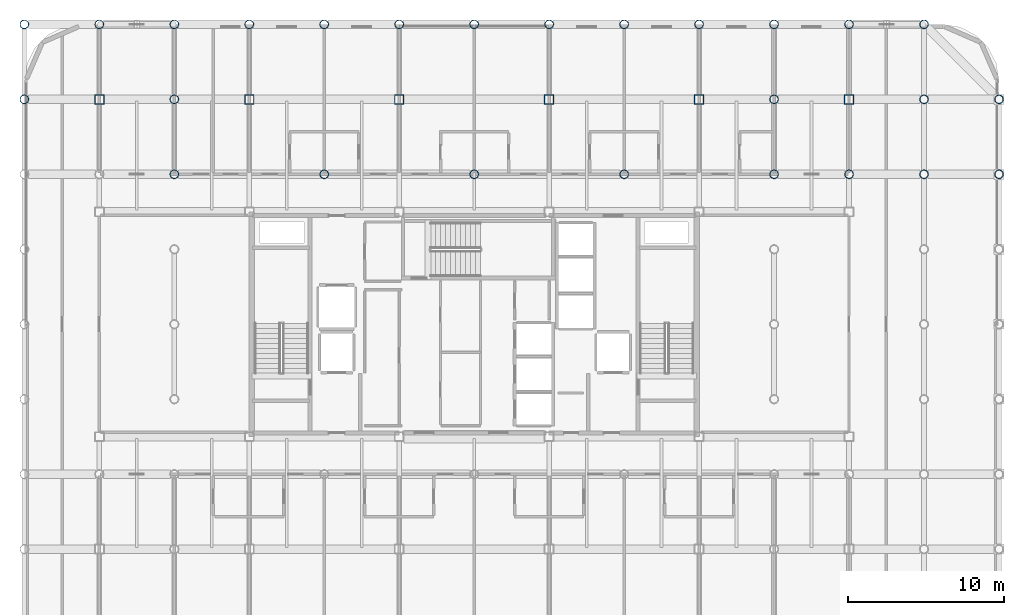
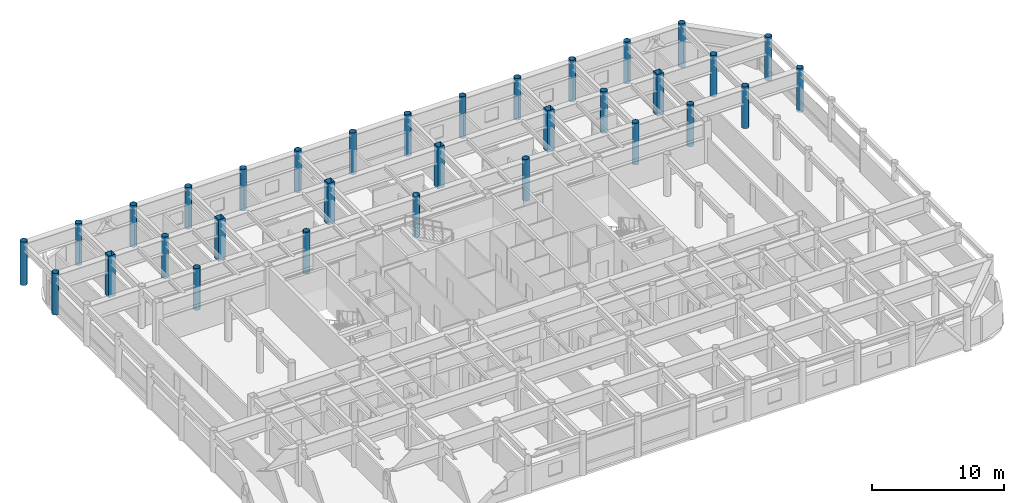
# One storey, part 2 of 22: 32 columns.
"""IFC4 building model written with IfcOpenShell, lengths in metres."""

from ifc_helpers import new_model, si_unit, direction, frame, origin, origin_2d, place, context, subcontext, project, spatial, hollow_rectangle, hollow_circle, extrude, material, material_profile, profile_set, type_object, element, save


model = new_model("IFC4")

# Units and contexts
model_context = context("Model", 3, precision=1e-05, world=origin(), true_north=direction((0.0, 1.0)))
body_context = subcontext(model_context, "Body", "Model", "MODEL_VIEW")
ifc_project = project(units=[si_unit("LENGTHUNIT", "METRE"), si_unit("AREAUNIT", "SQUARE_METRE"), si_unit("VOLUMEUNIT", "CUBIC_METRE"), si_unit("PLANEANGLEUNIT", "RADIAN"), si_unit("MASSUNIT", "GRAM", prefix="KILO")], contexts=[model_context])

# Site, building, storey
site_placement = place(None, origin())
site = spatial("IfcSite", under=ifc_project, at=site_placement, CompositionType="ELEMENT")
building_placement = place(site_placement, origin())
building = spatial("IfcBuilding", under=site, at=building_placement, Name="Kallvorn Hotel Tower", CompositionType="ELEMENT")
storey_placement = place(building_placement, frame((0.0, 0.0, 191.5)))
storey = spatial("IfcBuildingStorey", under=building, at=storey_placement, Name="L47", CompositionType="ELEMENT", Elevation=191.5)

# Columns
ifc_material_1 = material(Name="Structural steel S355J2H", Category="steel")
ifc_material_profile_1 = material_profile(ifc_material_1, hollow_circle(Radius=0.279541015625, WallThickness=0.02490234375, at=origin_2d()), Name="CHS 559x25")
ifc_profile_set_1 = profile_set([ifc_material_profile_1], Name="Structural steel S355J2H")
column_type_1 = type_object("IfcColumnType", Name="COL_CHS_559", PredefinedType="COLUMN", material=ifc_profile_set_1)
column_1_placement = place(storey_placement, frame((-28.800048828125, 14.39990234375, 0.0), z_axis=(0.0, 0.0, 1.0), x_axis=(1.0, 0.0, 0.0)))
element("IfcColumn", 1, at=column_1_placement, inside=storey, type_object=column_type_1, Name="L47 Exoskeleton Column EC08", PredefinedType="COLUMN", context=body_context, shape_type="SweptSolid", body=[
    extrude(hollow_circle(Radius=0.279541015625, WallThickness=0.02490234375, at=origin_2d()), origin(), (0.0, 0.0, 1.0), 3.85009765625),
])
column_2_placement = place(storey_placement, frame((-28.800048828125, 19.199951171875, -0.179931640625), z_axis=(0.0, 0.0, 1.0), x_axis=(1.0, 0.0, 0.0)))
element("IfcColumn", 2, at=column_2_placement, inside=storey, type_object=column_type_1, Name="L47 Exoskeleton Column EC09", PredefinedType="COLUMN", context=body_context, shape_type="SweptSolid", body=[
    extrude(hollow_circle(Radius=0.279541015625, WallThickness=0.02490234375, at=origin_2d()), origin(), (0.0, 0.0, 1.0), 4.030029296875),
])
for number, where, z_axis, x_axis, name in (
    (3, (-24.0, 19.199951171875, 0.0), (0.0, 0.0, 1.0), (1.0, 0.0, 0.0), "L47 Exoskeleton Column EC14"),
    (4, (-19.199951171875, 9.60009765625, 0.0), (0.0, 0.0, 1.0), (1.0, 0.0, 0.0), "L47 Exoskeleton Column EC22"),
    (5, (-19.199951171875, 14.39990234375, 0.0), (0.0, 0.0, 1.0), (1.0, 0.0, 0.0), "L47 Exoskeleton Column EC23"),
    (6, (-19.199951171875, 19.199951171875, 0.0), (0.0, 0.0, 1.0), (1.0, 0.0, 0.0), "L47 Exoskeleton Column EC24"),
    (7, (-14.39990234375, 19.199951171875, 0.0), (0.0, 0.0, 1.0), (1.0, 0.0, 0.0), "L47 Exoskeleton Column EC27"),
    (8, (-9.60009765625, 9.60009765625, 0.0), (0.0, 0.0, 1.0), (1.0, 0.0, 0.0), "L47 Exoskeleton Column EC31"),
    (9, (-9.60009765625, 19.199951171875, 0.0), (0.0, 0.0, 1.0), (1.0, 0.0, 0.0), "L47 Exoskeleton Column EC32"),
    (10, (-4.800048828125, 19.199951171875, 0.0), (0.0, 0.0, 1.0), (1.0, 0.0, 0.0), "L47 Exoskeleton Column EC35"),
    (11, (0.0, 9.60009765625, 0.0), (0.0, 0.0, 1.0), (1.0, 0.0, 0.0), "L47 Exoskeleton Column EC39"),
    (12, (0.0, 19.199951171875, 0.0), (0.0, 0.0, 1.0), (1.0, 0.0, 0.0), "L47 Exoskeleton Column EC40"),
    (13, (4.800048828125, 19.199951171875, 0.0), (0.0, 0.0, 1.0), (1.0, 0.0, 0.0), "L47 Exoskeleton Column EC43"),
    (14, (9.60009765625, 9.60009765625, 0.0), (0.0, 0.0, 1.0), (1.0, 0.0, 0.0), "L47 Exoskeleton Column EC47"),
    (15, (9.60009765625, 19.199951171875, 0.0), (0.0, 0.0, 1.0), (1.0, 0.0, 0.0), "L47 Exoskeleton Column EC48"),
    (16, (14.39990234375, 19.199951171875, 0.0), (0.0, 0.0, 1.0), (1.0, 0.0, 0.0), "L47 Exoskeleton Column EC51"),
    (17, (19.199951171875, 9.60009765625, 0.0), (0.0, 0.0, 1.0), (1.0, 0.0, 0.0), "L47 Exoskeleton Column EC59"),
    (18, (19.199951171875, 14.39990234375, 0.0), (0.0, 0.0, 1.0), (1.0, 0.0, 0.0), "L47 Exoskeleton Column EC60"),
    (19, (19.199951171875, 19.199951171875, 0.0), (0.0, 0.0, 1.0), (1.0, 0.0, 0.0), "L47 Exoskeleton Column EC61"),
    (20, (24.0, 9.60009765625, 0.0), (0.0, 0.0, 1.0), (1.0, 0.0, 0.0), "L47 Exoskeleton Column EC65"),
    (21, (24.0, 19.199951171875, 0.0), (0.0, 0.0, 1.0), (1.0, 0.0, 0.0), "L47 Exoskeleton Column EC66"),
    (22, (28.800048828125, 9.60009765625, 0.0), (0.0, 0.0, 1.0), (1.0, 0.0, 0.0), "L47 Exoskeleton Column EC74"),
    (23, (28.800048828125, 14.39990234375, 0.0), (0.0, 0.0, 1.0), (1.0, 0.0, 0.0), "L47 Exoskeleton Column EC75"),
):
    element("IfcColumn", number, at=place(storey_placement, frame(where, z_axis=z_axis, x_axis=x_axis)), inside=storey, type_object=column_type_1, Name=name, PredefinedType="COLUMN", context=body_context, shape_type="SweptSolid", body=[
        extrude(hollow_circle(Radius=0.279541015625, WallThickness=0.02490234375, at=origin_2d()), origin(), (0.0, 0.0, 1.0), 3.85009765625),
    ])
for number, where, z_axis, x_axis, name in (
    (24, (28.800048828125, 19.199951171875, -0.179931640625), (0.0, 0.0, 1.0), (1.0, 0.0, 0.0), "L47 Exoskeleton Column EC76"),
    (25, (33.60009765625, 9.60009765625, -0.179931640625), (0.0, 0.0, 1.0), (1.0, 0.0, 0.0), "L47 Exoskeleton Column EC83"),
    (26, (33.60009765625, 14.39990234375, -0.179931640625), (0.0, 0.0, 1.0), (1.0, 0.0, 0.0), "L47 Exoskeleton Column EC84"),
):
    element("IfcColumn", number, at=place(storey_placement, frame(where, z_axis=z_axis, x_axis=x_axis)), inside=storey, type_object=column_type_1, Name=name, PredefinedType="COLUMN", context=body_context, shape_type="SweptSolid", body=[
        extrude(hollow_circle(Radius=0.279541015625, WallThickness=0.02490234375, at=origin_2d()), origin(), (0.0, 0.0, 1.0), 4.030029296875),
    ])
ifc_material_2 = material(Name="Structural steel S355J2H", Category="steel")
ifc_material_profile_2 = material_profile(ifc_material_2, hollow_rectangle(XDim=0.60009765625, YDim=0.60009765625, WallThickness=0.028076171875, at=origin_2d()), Name="RHS 600x600x28")
ifc_profile_set_2 = profile_set([ifc_material_profile_2], Name="Structural steel S355J2H")
column_type_2 = type_object("IfcColumnType", Name="COL_RHS_600", PredefinedType="COLUMN", material=ifc_profile_set_2)
for number, where, z_axis, x_axis, name in (
    (27, (-24.0, 14.39990234375, 0.0), (0.0, 0.0, 1.0), (1.0, 0.0, 0.0), "L47 Inner Column IC04"),
    (28, (-14.39990234375, 14.39990234375, 0.0), (0.0, 0.0, 1.0), (1.0, 0.0, 0.0), "L47 Inner Column IC08"),
    (29, (-4.800048828125, 14.39990234375, 0.0), (0.0, 0.0, 1.0), (1.0, 0.0, 0.0), "L47 Inner Column IC12"),
    (30, (4.800048828125, 14.39990234375, 0.0), (0.0, 0.0, 1.0), (1.0, 0.0, 0.0), "L47 Inner Column IC16"),
    (31, (14.39990234375, 14.39990234375, 0.0), (0.0, 0.0, 1.0), (1.0, 0.0, 0.0), "L47 Inner Column IC20"),
    (32, (24.0, 14.39990234375, 0.0), (0.0, 0.0, 1.0), (1.0, 0.0, 0.0), "L47 Inner Column IC24"),
):
    element("IfcColumn", number, at=place(storey_placement, frame(where, z_axis=z_axis, x_axis=x_axis)), inside=storey, type_object=column_type_2, Name=name, PredefinedType="COLUMN", context=body_context, shape_type="SweptSolid", body=[
        extrude(hollow_rectangle(XDim=0.60009765625, YDim=0.60009765625, WallThickness=0.028076171875, at=origin_2d()), origin(), (0.0, 0.0, 1.0), 3.85009765625),
    ])

save(model, "model.ifc")
